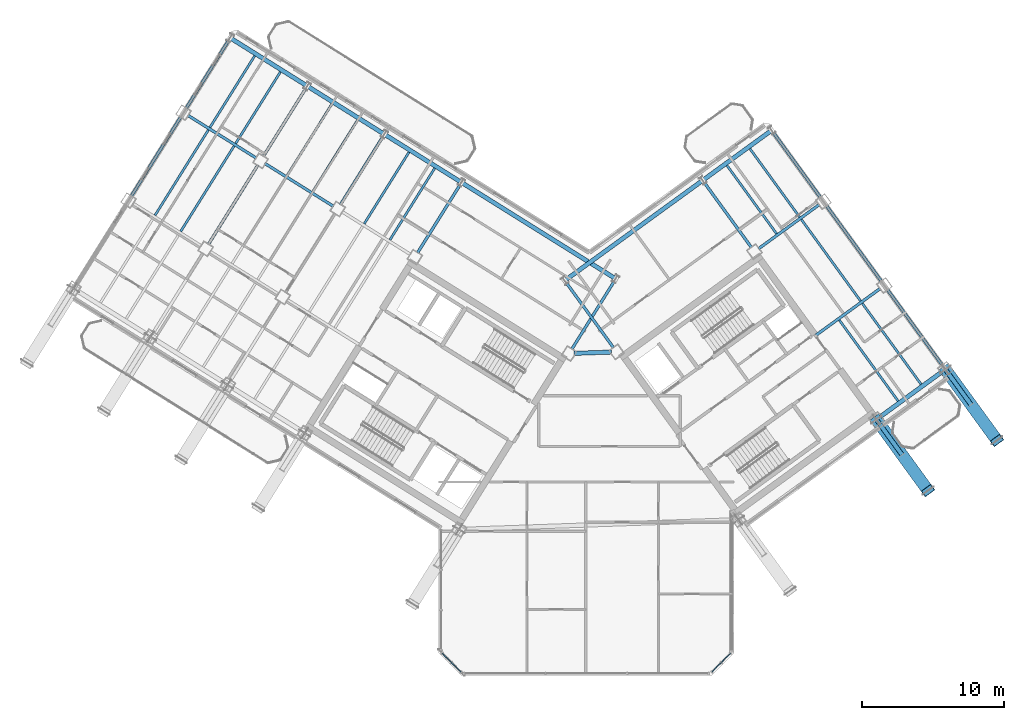
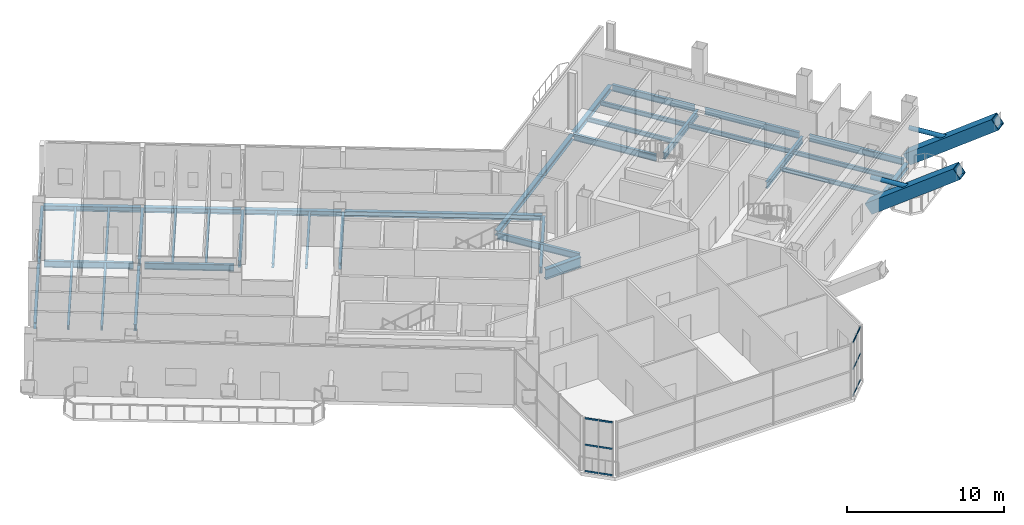
# One storey, part 12 of 34: 37 beams, 16 members, 2 elements without a shape of their own.
"""IFC4 building model written with IfcOpenShell, lengths in metres."""

from ifc_helpers import new_model, si_unit, direction, frame, origin, origin_2d, place, context, subcontext, project, spatial, hollow_rectangle, hollow_circle, i_section, extrude, source, transform, mapped, material, material_profile, profile_set, type_object, element, aggregate, save


model = new_model("IFC4")

# Units and contexts
model_context = context("Model", 3, precision=1e-05, world=origin(), true_north=direction((0.0, 1.0)))
body_context = subcontext(model_context, "Body", "Model", "MODEL_VIEW")
ifc_project = project(units=[si_unit("LENGTHUNIT", "METRE"), si_unit("AREAUNIT", "SQUARE_METRE"), si_unit("VOLUMEUNIT", "CUBIC_METRE"), si_unit("PLANEANGLEUNIT", "RADIAN"), si_unit("MASSUNIT", "GRAM", prefix="KILO")], contexts=[model_context])

# Site, building, storey
site_placement = place(None, origin())
site = spatial("IfcSite", under=ifc_project, at=site_placement, CompositionType="ELEMENT")
building_placement = place(site_placement, origin())
building = spatial("IfcBuilding", under=site, at=building_placement, Name="Tlacorven Tower", CompositionType="ELEMENT")
storey_placement = place(building_placement, frame((0.0, 0.0, 229.199951171875)))
storey = spatial("IfcBuildingStorey", under=building, at=storey_placement, Name="L58", CompositionType="ELEMENT", Elevation=229.199951171875)

# Beam
ifc_material_1 = material(Name="Steel S355J2", Category="steel")
ifc_material_profile_1 = material_profile(ifc_material_1, i_section(OverallWidth=0.300048828125, OverallDepth=0.800048828125, WebThickness=0.017578125, FlangeThickness=0.032958984375, at=origin_2d()), Name="HEB 800")
ifc_profile_set_1 = profile_set([ifc_material_profile_1], Name="Steel S355J2")
beam_type_1 = type_object("IfcBeamType", Name="BM-POD-800", PredefinedType="BEAM", material=ifc_profile_set_1)
shared_shape_1 = source(origin(), body_context, "Body", "SweptSolid", [
    extrude(i_section(OverallWidth=0.300048828125, OverallDepth=0.800048828125, WebThickness=0.017578125, FlangeThickness=0.032958984375, at=origin_2d()), origin(), (0.0, 0.0, 1.0), 2.642822265625),
])
beam_1_placement = place(storey_placement, frame((41.1328125, 24.480712890625, -0.64990234375), z_axis=(0.999393314814, 0.034828182629, 0.0), x_axis=(-0.034828182629, 0.999393314814, 0.0)))
element("IfcBeam", 1, at=beam_1_placement, inside=storey, type_object=beam_type_1, Name="L58 Knuckle Link Girder 1", PredefinedType="BEAM", context=body_context, shape_type="MappedRepresentation", body=[
    mapped(shared_shape_1, transform((0.0, 0.0, 0.0), scale=1.0)),
])

# Members
ifc_material_2 = material(Name="Steel S460M", Category="steel")
ifc_material_profile_2 = material_profile(ifc_material_2, hollow_rectangle(XDim=0.85009765625, YDim=0.85009765625, WallThickness=0.0400390625, at=origin_2d()), Name="BOX 850X850X40")
ifc_profile_set_2 = profile_set([ifc_material_profile_2], Name="Steel S460M")
member_type_1 = type_object("IfcMemberType", Name="MB-RAK-EXT", PredefinedType="STRUT", material=ifc_profile_set_2)
shared_shape_2 = source(origin(), body_context, "Body", "SweptSolid", [
    extrude(hollow_rectangle(XDim=0.85009765625, YDim=0.85009765625, WallThickness=0.0400390625, at=origin_2d()), origin(), (0.0, 0.0, 1.0), 7.62109375),
])
member_1_placement = place(storey_placement, frame((62.423095703125, 19.813720703125, 0.01171875), z_axis=(0.475691676108, -0.654736782025, 0.587398651297), x_axis=(0.809018428472, 0.587783278422, 0.0)))
element("IfcMember", 2, at=member_1_placement, inside=storey, type_object=member_type_1, Name="L58 Block-Shift Raking Transfer Strut E3", PredefinedType="STRUT", context=body_context, shape_type="MappedRepresentation", body=[
    mapped(shared_shape_2, transform((0.0, 0.0, 0.0), scale=1.0)),
])
ifc_material_profile_3 = material_profile(ifc_material_2, hollow_circle(Radius=0.161865234375, WallThickness=0.01611328125, at=origin_2d()), Name="CHS 323.9X16")
ifc_profile_set_3 = profile_set([ifc_material_profile_3], Name="Steel S460M")
member_type_2 = type_object("IfcMemberType", Name="MB-SHF-BRC", PredefinedType="BRACE", material=ifc_profile_set_3)
shared_shape_3 = source(origin(), body_context, "Body", "SweptSolid", [
    extrude(hollow_circle(Radius=0.161865234375, WallThickness=0.01611328125, at=origin_2d()), origin(), (0.0, 0.0, 1.0), 3.06005859375),
])
for number, where, z_axis, x_axis, name in (
    (3, (62.42529296875, 19.810546875, 2.25), (0.587777877013, -0.809022352778, 0.0), (0.809022352778, 0.587777877013, 0.0), "L58 Raking Strut Stabilising Web Brace E3"),
    (4, (67.279541015625, 23.33740234375, 2.25), (0.587777877013, -0.809022352778, 0.0), (0.809022352778, 0.587777877013, 0.0), "L58 Raking Strut Stabilising Web Brace E4"),
):
    element("IfcMember", number, at=place(storey_placement, frame(where, z_axis=z_axis, x_axis=x_axis)), inside=storey, type_object=member_type_2, Name=name, PredefinedType="BRACE", context=body_context, shape_type="MappedRepresentation", body=[
        mapped(shared_shape_3, transform((0.0, 0.0, 0.0), scale=1.0)),
    ])
shared_shape_4 = source(origin(), body_context, "Body", "SweptSolid", [
    extrude(hollow_rectangle(XDim=0.85009765625, YDim=0.85009765625, WallThickness=0.0400390625, at=origin_2d()), origin(), (0.0, 0.0, 1.0), 7.620849609375),
])
member_2_placement = place(storey_placement, frame((67.27734375, 23.34033203125, 0.01171875), z_axis=(0.475701653652, -0.654718479069, 0.587410971875), x_axis=(0.809004751961, 0.587802102161, 0.0)))
element("IfcMember", 5, at=member_2_placement, inside=storey, type_object=member_type_1, Name="L58 Block-Shift Raking Transfer Strut E4", PredefinedType="STRUT", context=body_context, shape_type="MappedRepresentation", body=[
    mapped(shared_shape_4, transform((0.0, 0.0, 0.0), scale=1.0)),
])

# Beams
ifc_material_profile_4 = material_profile(ifc_material_1, i_section(OverallWidth=0.199951171875, OverallDepth=0.5, WebThickness=0.01025390625, FlangeThickness=0.01611328125, at=origin_2d()), Name="IPE 500")
ifc_profile_set_4 = profile_set([ifc_material_profile_4], Name="Steel S355J2")
beam_type_2 = type_object("IfcBeamType", Name="BM-TWR-500", PredefinedType="BEAM", material=ifc_profile_set_4)
shared_shape_5 = source(origin(), body_context, "Body", "SweptSolid", [
    extrude(i_section(OverallWidth=0.199951171875, OverallDepth=0.5, WebThickness=0.01025390625, FlangeThickness=0.01611328125, at=origin_2d()), origin(), (0.0, 0.0, 1.0), 5.7001953125),
])
for number, where, z_axis, x_axis, name in (
    (6, (24.20361328125, 34.828369140625, -0.5), (-0.848056048787, 0.529906537151, 0.0), (-0.529906537151, -0.848056048787, 0.0), "L58 beam BM-L58-WL2-4"),
    (7, (18.776123046875, 38.2197265625, -0.5), (-0.848056048787, 0.529906537151, 0.0), (-0.529906537151, -0.848056048787, 0.0), "L58 beam BM-L58-WL2-5"),
):
    element("IfcBeam", number, at=place(storey_placement, frame(where, z_axis=z_axis, x_axis=x_axis)), inside=storey, type_object=beam_type_2, Name=name, PredefinedType="BEAM", context=body_context, shape_type="MappedRepresentation", body=[
        mapped(shared_shape_5, transform((0.0, 0.0, 0.0), scale=1.0)),
    ])
shared_shape_6 = source(origin(), body_context, "Body", "SweptSolid", [
    extrude(i_section(OverallWidth=0.199951171875, OverallDepth=0.5, WebThickness=0.01025390625, FlangeThickness=0.01611328125, at=origin_2d()), origin(), (0.0, 0.0, 1.0), 5.75),
])
for number, where, z_axis, x_axis, name in (
    (8, (44.015380859375, 29.6416015625, -0.5), (-0.529884439831, -0.848069855864, 0.0), (0.848069855864, -0.529884439831, 0.0), "L58 beam BM-L58-WT1-1"),
    (9, (33.160400390625, 36.424560546875, -0.5), (-0.529884439831, -0.848069855864, 0.0), (0.848069855864, -0.529884439831, 0.0), "L58 beam BM-L58-WT3-1"),
    (10, (27.73291015625, 39.81591796875, -0.5), (-0.529934056882, -0.848038852504, 0.0), (0.848038852504, -0.529934056882, 0.0), "L58 beam BM-L58-WT4-1"),
    (11, (16.8779296875, 46.598876953125, -0.5), (-0.529934056882, -0.848038852504, 0.0), (0.848038852504, -0.529934056882, 0.0), "L58 beam BM-L58-WT6-1"),
    (12, (43.91796875, 24.8681640625, -0.5), (-0.587770208527, 0.809027924097, 0.0), (-0.809027924097, -0.587770208527, 0.0), "L58 beam BM-L58-ET1-2"),
    (13, (53.626220703125, 31.921630859375, -0.5), (-0.587770208527, 0.809027924097, 0.0), (-0.809027924097, -0.587770208527, 0.0), "L58 beam BM-L58-ET3-2"),
    (14, (58.480224609375, 35.4482421875, -0.5), (-0.587770208527, 0.809027924097, 0.0), (-0.809027924097, -0.587770208527, 0.0), "L58 beam BM-L58-ET4-3"),
):
    element("IfcBeam", number, at=place(storey_placement, frame(where, z_axis=z_axis, x_axis=x_axis)), inside=storey, type_object=beam_type_2, Name=name, PredefinedType="BEAM", context=body_context, shape_type="MappedRepresentation", body=[
        mapped(shared_shape_6, transform((0.0, 0.0, 0.0), scale=1.0)),
    ])
shared_shape_7 = source(origin(), body_context, "Body", "SweptSolid", [
    extrude(i_section(OverallWidth=0.199951171875, OverallDepth=0.5, WebThickness=0.01025390625, FlangeThickness=0.01611328125, at=origin_2d()), origin(), (0.0, 0.0, 1.0), 6.599853515625),
])
beam_2_placement = place(storey_placement, frame((13.4599609375, 41.12890625, -0.5), z_axis=(-0.529942412256, -0.848033631227, 0.0), x_axis=(0.848033631227, -0.529942412256, 0.0)))
element("IfcBeam", 15, at=beam_2_placement, inside=storey, type_object=beam_type_2, Name="L58 beam BM-L58-WT6-2", PredefinedType="BEAM", context=body_context, shape_type="MappedRepresentation", body=[
    mapped(shared_shape_7, transform((0.0, 0.0, 0.0), scale=1.0)),
])
shared_shape_8 = source(origin(), body_context, "Body", "SweptSolid", [
    extrude(i_section(OverallWidth=0.199951171875, OverallDepth=0.5, WebThickness=0.01025390625, FlangeThickness=0.01611328125, at=origin_2d()), origin(), (0.0, 0.0, 1.0), 6.60009765625),
])
for number, where, z_axis, x_axis, name in (
    (16, (18.887451171875, 37.737548828125, -0.5), (-0.529925788294, -0.848044019436, 0.0), (0.848044019436, -0.529925788294, 0.0), "L58 beam BM-L58-WT5-2"),
    (17, (67.06201171875, 23.63671875, -0.5), (-0.587780128583, 0.809020716943, 0.0), (-0.809020716943, -0.587780128583, 0.0), "L58 beam BM-L58-ET4-1"),
    (18, (62.771240234375, 29.54248046875, -0.5), (-0.587780128583, 0.809020716943, 0.0), (-0.809020716943, -0.587780128583, 0.0), "L58 beam BM-L58-ET4-2"),
):
    element("IfcBeam", number, at=place(storey_placement, frame(where, z_axis=z_axis, x_axis=x_axis)), inside=storey, type_object=beam_type_2, Name=name, PredefinedType="BEAM", context=body_context, shape_type="MappedRepresentation", body=[
        mapped(shared_shape_8, transform((0.0, 0.0, 0.0), scale=1.0)),
    ])
shared_shape_9 = source(origin(), body_context, "Body", "SweptSolid", [
    extrude(i_section(OverallWidth=0.199951171875, OverallDepth=0.5, WebThickness=0.01025390625, FlangeThickness=0.01611328125, at=origin_2d()), origin(), (0.0, 0.0, 1.0), 5.750244140625),
])
beam_3_placement = place(storey_placement, frame((22.305419921875, 43.20751953125, -0.5), z_axis=(-0.529914976044, -0.848050775699, 0.0), x_axis=(0.848050775699, -0.529914976044, 0.0)))
element("IfcBeam", 19, at=beam_3_placement, inside=storey, type_object=beam_type_2, Name="L58 beam BM-L58-WT5-1", PredefinedType="BEAM", context=body_context, shape_type="MappedRepresentation", body=[
    mapped(shared_shape_9, transform((0.0, 0.0, 0.0), scale=1.0)),
])
shared_shape_10 = source(origin(), body_context, "Body", "SweptSolid", [
    extrude(i_section(OverallWidth=0.199951171875, OverallDepth=0.5, WebThickness=0.01025390625, FlangeThickness=0.01611328125, at=origin_2d()), origin(), (0.0, 0.0, 1.0), 5.300048828125),
])
beam_4_placement = place(storey_placement, frame((54.114990234375, 31.84423828125, -0.5), z_axis=(0.809022830186, 0.587777219904, 0.0), x_axis=(-0.587777219904, 0.809022830186, 0.0)))
element("IfcBeam", 20, at=beam_4_placement, inside=storey, type_object=beam_type_2, Name="L58 beam BM-L58-EL3-3", PredefinedType="BEAM", context=body_context, shape_type="MappedRepresentation", body=[
    mapped(shared_shape_10, transform((0.0, 0.0, 0.0), scale=1.0)),
])
shared_shape_11 = source(origin(), body_context, "Body", "SweptSolid", [
    extrude(i_section(OverallWidth=0.199951171875, OverallDepth=0.5, WebThickness=0.01025390625, FlangeThickness=0.01611328125, at=origin_2d()), origin(), (0.0, 0.0, 1.0), 5.6103515625),
])
beam_5_placement = place(storey_placement, frame((58.155029296875, 25.756103515625, -0.5), z_axis=(0.809020142627, 0.587780919071, 0.0), x_axis=(-0.587780919071, 0.809020142627, 0.0)))
element("IfcBeam", 21, at=beam_5_placement, inside=storey, type_object=beam_type_2, Name="L58 beam BM-L58-EL2-3", PredefinedType="BEAM", context=body_context, shape_type="MappedRepresentation", body=[
    mapped(shared_shape_11, transform((0.0, 0.0, 0.0), scale=1.0)),
])
ifc_material_profile_5 = material_profile(ifc_material_1, i_section(OverallWidth=0.159912109375, OverallDepth=0.330078125, WebThickness=0.007568359375, FlangeThickness=0.011474609375, at=origin_2d()), Name="IPE 330")
ifc_profile_set_5 = profile_set([ifc_material_profile_5], Name="Steel S355J2")
beam_type_3 = type_object("IfcBeamType", Name="BM-JST-330", PredefinedType="JOIST", material=ifc_profile_set_5)
shared_shape_12 = source(origin(), body_context, "Body", "SweptSolid", [
    extrude(i_section(OverallWidth=0.159912109375, OverallDepth=0.330078125, WebThickness=0.007568359375, FlangeThickness=0.011474609375, at=origin_2d()), origin(), (0.0, 0.0, 1.0), 7.0400390625),
])
beam_6_placement = place(storey_placement, frame((63.9404296875, 21.127685546875, -0.4150390625), z_axis=(-0.587773661987, 0.809025415098, 0.0), x_axis=(-0.809025415098, -0.587773661987, 0.0)))
element("IfcBeam", 22, at=beam_6_placement, inside=storey, type_object=beam_type_3, Name="L58 beam BM-L58-EJ3-1-1", PredefinedType="JOIST", context=body_context, shape_type="MappedRepresentation", body=[
    mapped(shared_shape_12, transform((0.0, 0.0, 0.0), scale=1.0)),
])
shared_shape_13 = source(origin(), body_context, "Body", "SweptSolid", [
    extrude(i_section(OverallWidth=0.159912109375, OverallDepth=0.330078125, WebThickness=0.007568359375, FlangeThickness=0.011474609375, at=origin_2d()), origin(), (0.0, 0.0, 1.0), 5.940185546875),
])
for number, where, z_axis, x_axis, name in (
    (23, (29.512939453125, 38.638916015625, -0.4150390625), (-0.529902882565, -0.848058332339, 0.0), (0.848058332339, -0.529902882565, 0.0), "L58 beam BM-L58-WJ3-1-2"),
    (24, (25.894775390625, 40.899658203125, -0.4150390625), (-0.529950911506, -0.848028319924, 0.0), (0.848028319924, -0.529950911506, 0.0), "L58 beam BM-L58-WJ4-1-1"),
    (25, (18.657958984375, 45.421875, -0.4150390625), (-0.529902882565, -0.848058332339, 0.0), (0.848058332339, -0.529902882565, 0.0), "L58 beam BM-L58-WJ5-1-2"),
    (26, (55.38818359375, 32.89892578125, -0.4150390625), (-0.587778174144, 0.809022136903, 0.0), (-0.809022136903, -0.587778174144, 0.0), "L58 beam BM-L58-EJ3-3-1"),
    (27, (57.00634765625, 34.074462890625, -0.4150390625), (-0.587778174144, 0.809022136903, 0.0), (-0.809022136903, -0.587778174144, 0.0), "L58 beam BM-L58-EJ3-3-2"),
):
    element("IfcBeam", number, at=place(storey_placement, frame(where, z_axis=z_axis, x_axis=x_axis)), inside=storey, type_object=beam_type_3, Name=name, PredefinedType="JOIST", context=body_context, shape_type="MappedRepresentation", body=[
        mapped(shared_shape_13, transform((0.0, 0.0, 0.0), scale=1.0)),
    ])
shared_shape_14 = source(origin(), body_context, "Body", "SweptSolid", [
    extrude(i_section(OverallWidth=0.159912109375, OverallDepth=0.330078125, WebThickness=0.007568359375, FlangeThickness=0.011474609375, at=origin_2d()), origin(), (0.0, 0.0, 1.0), 7.090087890625),
])
for number, where, z_axis, x_axis, name in (
    (28, (17.208251953125, 39.07568359375, -0.4150390625), (-0.529937035031, -0.848036991471, 0.0), (0.848036991471, -0.529937035031, 0.0), "L58 beam BM-L58-WJ5-2-1"),
    (29, (15.39892578125, 40.206298828125, -0.4150390625), (-0.529912270669, -0.84805246618, 0.0), (0.84805246618, -0.529912270669, 0.0), "L58 beam BM-L58-WJ5-2-2"),
    (30, (61.297119140625, 28.168701171875, -0.4150390625), (-0.587782622309, 0.809018905164, 0.0), (-0.809018905164, -0.587782622309, 0.0), "L58 beam BM-L58-EJ3-2-2"),
):
    element("IfcBeam", number, at=place(storey_placement, frame(where, z_axis=z_axis, x_axis=x_axis)), inside=storey, type_object=beam_type_3, Name=name, PredefinedType="JOIST", context=body_context, shape_type="MappedRepresentation", body=[
        mapped(shared_shape_14, transform((0.0, 0.0, 0.0), scale=1.0)),
    ])
shared_shape_15 = source(origin(), body_context, "Body", "SweptSolid", [
    extrude(i_section(OverallWidth=0.159912109375, OverallDepth=0.330078125, WebThickness=0.007568359375, FlangeThickness=0.011474609375, at=origin_2d()), origin(), (0.0, 0.0, 1.0), 5.93994140625),
])
for number, where, z_axis, x_axis, name in (
    (31, (31.322265625, 37.50830078125, -0.4150390625), (-0.529921352973, -0.848046790963, 0.0), (0.848046790963, -0.529921352973, 0.0), "L58 beam BM-L58-WJ3-1-1"),
    (32, (24.08544921875, 42.0302734375, -0.4150390625), (-0.529921352973, -0.848046790963, 0.0), (0.848046790963, -0.529921352973, 0.0), "L58 beam BM-L58-WJ4-1-2"),
    (33, (20.467041015625, 44.291259765625, -0.4150390625), (-0.529921352973, -0.848046790963, 0.0), (0.848046790963, -0.529921352973, 0.0), "L58 beam BM-L58-WJ5-1-1"),
):
    element("IfcBeam", number, at=place(storey_placement, frame(where, z_axis=z_axis, x_axis=x_axis)), inside=storey, type_object=beam_type_3, Name=name, PredefinedType="JOIST", context=body_context, shape_type="MappedRepresentation", body=[
        mapped(shared_shape_15, transform((0.0, 0.0, 0.0), scale=1.0)),
    ])
shared_shape_16 = source(origin(), body_context, "Body", "SweptSolid", [
    extrude(i_section(OverallWidth=0.159912109375, OverallDepth=0.330078125, WebThickness=0.007568359375, FlangeThickness=0.011474609375, at=origin_2d()), origin(), (0.0, 0.0, 1.0), 7.039794921875),
])
beam_7_placement = place(storey_placement, frame((65.55859375, 22.303466796875, -0.4150390625), z_axis=(-0.587790152999, 0.809013433781, 0.0), x_axis=(-0.809013433781, -0.587790152999, 0.0)))
element("IfcBeam", 34, at=beam_7_placement, inside=storey, type_object=beam_type_3, Name="L58 beam BM-L58-EJ3-1-2", PredefinedType="JOIST", context=body_context, shape_type="MappedRepresentation", body=[
    mapped(shared_shape_16, transform((0.0, 0.0, 0.0), scale=1.0)),
])
ifc_material_profile_6 = material_profile(ifc_material_1, i_section(OverallWidth=0.300048828125, OverallDepth=0.389892578125, WebThickness=0.010986328125, FlangeThickness=0.01904296875, at=origin_2d()), Name="HEA 400")
ifc_profile_set_6 = profile_set([ifc_material_profile_6], Name="Steel S355J2")
beam_type_4 = type_object("IfcBeamType", Name="BM-SPN-400", PredefinedType="SPANDREL", material=ifc_profile_set_6)
shared_shape_17 = source(origin(), body_context, "Body", "SweptSolid", [
    extrude(i_section(OverallWidth=0.300048828125, OverallDepth=0.389892578125, WebThickness=0.010986328125, FlangeThickness=0.01904296875, at=origin_2d()), origin(), (0.0, 0.0, 1.0), 12.599853515625),
])
beam_8_placement = place(storey_placement, frame((43.983642578125, 29.779296875, -0.445068359375), z_axis=(-0.848045108756, 0.529924045043, 0.0), x_axis=(-0.529924045043, -0.848045108756, 0.0)))
element("IfcBeam", 35, at=beam_8_placement, inside=storey, type_object=beam_type_4, Name="L58 beam BM-L58-WL1-1", PredefinedType="SPANDREL", context=body_context, shape_type="MappedRepresentation", body=[
    mapped(shared_shape_17, transform((0.0, 0.0, 0.0), scale=1.0)),
])
shared_shape_18 = source(origin(), body_context, "Body", "SweptSolid", [
    extrude(i_section(OverallWidth=0.300048828125, OverallDepth=0.389892578125, WebThickness=0.010986328125, FlangeThickness=0.01904296875, at=origin_2d()), origin(), (0.0, 0.0, 1.0), 6.199951171875),
])
beam_9_placement = place(storey_placement, frame((33.128662109375, 36.562255859375, -0.445068359375), z_axis=(-0.848051394107, 0.529913986372, 0.0), x_axis=(-0.529913986372, -0.848051394107, 0.0)))
element("IfcBeam", 36, at=beam_9_placement, inside=storey, type_object=beam_type_4, Name="L58 beam BM-L58-WL1-3", PredefinedType="SPANDREL", context=body_context, shape_type="MappedRepresentation", body=[
    mapped(shared_shape_18, transform((0.0, 0.0, 0.0), scale=1.0)),
])
shared_shape_19 = source(origin(), body_context, "Body", "SweptSolid", [
    extrude(i_section(OverallWidth=0.300048828125, OverallDepth=0.389892578125, WebThickness=0.010986328125, FlangeThickness=0.01904296875, at=origin_2d()), origin(), (0.0, 0.0, 1.0), 6.2001953125),
])
for number, where, z_axis, x_axis, name in (
    (37, (27.701171875, 39.95361328125, -0.445068359375), (-0.84804475579, 0.5299246099, 0.0), (-0.5299246099, -0.84804475579, 0.0), "L58 beam BM-L58-WL1-4"),
    (38, (22.273681640625, 43.34521484375, -0.445068359375), (-0.848062451332, 0.529896290457, 0.0), (-0.529896290457, -0.848062451332, 0.0), "L58 beam BM-L58-WL1-5"),
):
    element("IfcBeam", number, at=place(storey_placement, frame(where, z_axis=z_axis, x_axis=x_axis)), inside=storey, type_object=beam_type_4, Name=name, PredefinedType="SPANDREL", context=body_context, shape_type="MappedRepresentation", body=[
        mapped(shared_shape_19, transform((0.0, 0.0, 0.0), scale=1.0)),
    ])
shared_shape_20 = source(origin(), body_context, "Body", "SweptSolid", [
    extrude(i_section(OverallWidth=0.300048828125, OverallDepth=0.389892578125, WebThickness=0.010986328125, FlangeThickness=0.01904296875, at=origin_2d()), origin(), (0.0, 0.0, 1.0), 5.300048828125),
])
beam_10_placement = place(storey_placement, frame((62.69677734375, 20.032470703125, -0.445068359375), z_axis=(0.809022830186, 0.587777219904, 0.0), x_axis=(-0.587777219904, 0.809022830186, 0.0)))
element("IfcBeam", 39, at=beam_10_placement, inside=storey, type_object=beam_type_4, Name="L58 beam BM-L58-EL1-3", PredefinedType="SPANDREL", context=body_context, shape_type="MappedRepresentation", body=[
    mapped(shared_shape_20, transform((0.0, 0.0, 0.0), scale=1.0)),
])
shared_shape_21 = source(origin(), body_context, "Body", "SweptSolid", [
    extrude(i_section(OverallWidth=0.300048828125, OverallDepth=0.389892578125, WebThickness=0.010986328125, FlangeThickness=0.01904296875, at=origin_2d()), origin(), (0.0, 0.0, 1.0), 11.800048828125),
])
beam_11_placement = place(storey_placement, frame((40.560302734375, 29.65966796875, -0.445068359375), z_axis=(0.80900977213, 0.587795192732, 0.0), x_axis=(-0.587795192732, 0.80900977213, 0.0)))
element("IfcBeam", 40, at=beam_11_placement, inside=storey, type_object=beam_type_4, Name="L58 beam BM-L58-EL4-1", PredefinedType="SPANDREL", context=body_context, shape_type="MappedRepresentation", body=[
    mapped(shared_shape_21, transform((0.0, 0.0, 0.0), scale=1.0)),
])
shared_shape_22 = source(origin(), body_context, "Body", "SweptSolid", [
    extrude(i_section(OverallWidth=0.300048828125, OverallDepth=0.389892578125, WebThickness=0.010986328125, FlangeThickness=0.01904296875, at=origin_2d()), origin(), (0.0, 0.0, 1.0), 5.800048828125),
])
beam_12_placement = place(storey_placement, frame((50.2685546875, 36.713134765625, -0.445068359375), z_axis=(0.809019944521, 0.587781191743, 0.0), x_axis=(-0.587781191743, 0.809019944521, 0.0)))
element("IfcBeam", 41, at=beam_12_placement, inside=storey, type_object=beam_type_4, Name="L58 beam BM-L58-EL4-3", PredefinedType="SPANDREL", context=body_context, shape_type="MappedRepresentation", body=[
    mapped(shared_shape_22, transform((0.0, 0.0, 0.0), scale=1.0)),
])

# Curtain wall, members
ifc_material_3 = material(Name="Dark solar low-E double glazing in aluminium frame", Category="aluminium")
curtain_wall_type = type_object("IfcCurtainWallType", Name="CW-TWR-HIGH", PredefinedType="USERDEFINED", material=ifc_material_3)
curtain_wall_1_placement = place(storey_placement, origin())
curtain_wall_1 = element("IfcCurtainWall", 42, at=curtain_wall_1_placement, inside=storey, type_object=curtain_wall_type, Name="L58 CW-TWR-HIGH Curtain Wall 262", ObjectType="UNITISED CURTAIN WALL", PredefinedType="USERDEFINED")
ifc_material_4 = material(Name="Aluminium 6063-T6 anodised", Category="aluminium")
ifc_material_profile_7 = material_profile(ifc_material_4, hollow_rectangle(XDim=0.054931640625, YDim=0.1201171875, WallThickness=0.00341796875, at=origin_2d()), Name="ALU TRANSOM 55X120")
ifc_profile_set_7 = profile_set([ifc_material_profile_7], Name="Aluminium 6063-T6 anodised")
member_type_3 = type_object("IfcMemberType", Name="CWT-03", PredefinedType="USERDEFINED", material=ifc_profile_set_7)
shared_shape_23 = source(origin(), body_context, "Body", "SweptSolid", [
    extrude(hollow_rectangle(XDim=0.054931640625, YDim=0.1201171875, WallThickness=0.00341796875, at=origin_2d()), origin(), (0.0, 0.0, 1.0), 0.899169921875),
])
member_3_placement = place(storey_placement, frame((52.13525390625, 3.361572265625, 0.06005859375), z_axis=(-0.707106781187, -0.707106781187, 0.0), x_axis=(0.707106781187, -0.707106781187, 0.0)))
member_3 = element("IfcMember", 43, at=member_3_placement, type_object=member_type_3, Name="CW-L58-262 Transom 1", ObjectType="TRANSOM", PredefinedType="USERDEFINED", context=body_context, shape_type="MappedRepresentation", body=[
    mapped(shared_shape_23, transform((0.0, 0.0, 0.0), scale=1.0)),
])
member_4_placement = place(storey_placement, frame((52.13525390625, 3.361572265625, 2.110107421875), z_axis=(-0.707106781187, -0.707106781187, 0.0), x_axis=(0.707106781187, -0.707106781187, 0.0)))
member_4 = element("IfcMember", 44, at=member_4_placement, type_object=member_type_3, Name="CW-L58-262 Transom 2", ObjectType="TRANSOM", PredefinedType="USERDEFINED", context=body_context, shape_type="MappedRepresentation", body=[
    mapped(shared_shape_23, transform((0.0, 0.0, 0.0), scale=1.0)),
])
member_5_placement = place(storey_placement, frame((52.13525390625, 3.361572265625, 4.16015625), z_axis=(-0.707106781187, -0.707106781187, 0.0), x_axis=(0.707106781187, -0.707106781187, 0.0)))
member_5 = element("IfcMember", 45, at=member_5_placement, type_object=member_type_3, Name="CW-L58-262 Transom 3", ObjectType="TRANSOM", PredefinedType="USERDEFINED", context=body_context, shape_type="MappedRepresentation", body=[
    mapped(shared_shape_23, transform((0.0, 0.0, 0.0), scale=1.0)),
])
member_6_placement = place(storey_placement, frame((51.47412109375, 2.700439453125, 0.06005859375), z_axis=(-0.707106781187, -0.707106781187, 0.0), x_axis=(0.707106781187, -0.707106781187, 0.0)))
member_6 = element("IfcMember", 46, at=member_6_placement, type_object=member_type_3, Name="CW-L58-262 Transom 4", ObjectType="TRANSOM", PredefinedType="USERDEFINED", context=body_context, shape_type="MappedRepresentation", body=[
    mapped(shared_shape_23, transform((0.0, 0.0, 0.0), scale=1.0)),
])
member_7_placement = place(storey_placement, frame((51.47412109375, 2.700439453125, 2.110107421875), z_axis=(-0.707106781187, -0.707106781187, 0.0), x_axis=(0.707106781187, -0.707106781187, 0.0)))
member_7 = element("IfcMember", 47, at=member_7_placement, type_object=member_type_3, Name="CW-L58-262 Transom 5", ObjectType="TRANSOM", PredefinedType="USERDEFINED", context=body_context, shape_type="MappedRepresentation", body=[
    mapped(shared_shape_23, transform((0.0, 0.0, 0.0), scale=1.0)),
])
member_8_placement = place(storey_placement, frame((51.47412109375, 2.700439453125, 4.16015625), z_axis=(-0.707106781187, -0.707106781187, 0.0), x_axis=(0.707106781187, -0.707106781187, 0.0)))
member_8 = element("IfcMember", 48, at=member_8_placement, type_object=member_type_3, Name="CW-L58-262 Transom 6", ObjectType="TRANSOM", PredefinedType="USERDEFINED", context=body_context, shape_type="MappedRepresentation", body=[
    mapped(shared_shape_23, transform((0.0, 0.0, 0.0), scale=1.0)),
])
aggregate(curtain_wall_1, [member_3, member_4, member_5, member_6, member_7, member_8])

curtain_wall_2_placement = place(storey_placement, origin())
curtain_wall_2 = element("IfcCurtainWall", 49, at=curtain_wall_2_placement, inside=storey, type_object=curtain_wall_type, Name="L58 CW-TWR-HIGH Curtain Wall 264", ObjectType="UNITISED CURTAIN WALL", PredefinedType="USERDEFINED")
member_9_placement = place(storey_placement, frame((33.16162109375, 2.064697265625, 0.06005859375), z_axis=(-0.707106781187, 0.707106781187, 0.0), x_axis=(-0.707106781187, -0.707106781187, 0.0)))
member_9 = element("IfcMember", 50, at=member_9_placement, type_object=member_type_3, Name="CW-L58-264 Transom 1", ObjectType="TRANSOM", PredefinedType="USERDEFINED", context=body_context, shape_type="MappedRepresentation", body=[
    mapped(shared_shape_23, transform((0.0, 0.0, 0.0), scale=1.0)),
])
member_10_placement = place(storey_placement, frame((33.16162109375, 2.064697265625, 2.110107421875), z_axis=(-0.707106781187, 0.707106781187, 0.0), x_axis=(-0.707106781187, -0.707106781187, 0.0)))
member_10 = element("IfcMember", 51, at=member_10_placement, type_object=member_type_3, Name="CW-L58-264 Transom 2", ObjectType="TRANSOM", PredefinedType="USERDEFINED", context=body_context, shape_type="MappedRepresentation", body=[
    mapped(shared_shape_23, transform((0.0, 0.0, 0.0), scale=1.0)),
])
member_11_placement = place(storey_placement, frame((33.16162109375, 2.064697265625, 4.16015625), z_axis=(-0.707106781187, 0.707106781187, 0.0), x_axis=(-0.707106781187, -0.707106781187, 0.0)))
member_11 = element("IfcMember", 52, at=member_11_placement, type_object=member_type_3, Name="CW-L58-264 Transom 3", ObjectType="TRANSOM", PredefinedType="USERDEFINED", context=body_context, shape_type="MappedRepresentation", body=[
    mapped(shared_shape_23, transform((0.0, 0.0, 0.0), scale=1.0)),
])
member_12_placement = place(storey_placement, frame((32.50048828125, 2.725830078125, 0.06005859375), z_axis=(-0.707106781187, 0.707106781187, 0.0), x_axis=(-0.707106781187, -0.707106781187, 0.0)))
member_12 = element("IfcMember", 53, at=member_12_placement, type_object=member_type_3, Name="CW-L58-264 Transom 4", ObjectType="TRANSOM", PredefinedType="USERDEFINED", context=body_context, shape_type="MappedRepresentation", body=[
    mapped(shared_shape_23, transform((0.0, 0.0, 0.0), scale=1.0)),
])
member_13_placement = place(storey_placement, frame((32.50048828125, 2.725830078125, 2.110107421875), z_axis=(-0.707106781187, 0.707106781187, 0.0), x_axis=(-0.707106781187, -0.707106781187, 0.0)))
member_13 = element("IfcMember", 54, at=member_13_placement, type_object=member_type_3, Name="CW-L58-264 Transom 5", ObjectType="TRANSOM", PredefinedType="USERDEFINED", context=body_context, shape_type="MappedRepresentation", body=[
    mapped(shared_shape_23, transform((0.0, 0.0, 0.0), scale=1.0)),
])
member_14_placement = place(storey_placement, frame((32.50048828125, 2.725830078125, 4.16015625), z_axis=(-0.707106781187, 0.707106781187, 0.0), x_axis=(-0.707106781187, -0.707106781187, 0.0)))
member_14 = element("IfcMember", 55, at=member_14_placement, type_object=member_type_3, Name="CW-L58-264 Transom 6", ObjectType="TRANSOM", PredefinedType="USERDEFINED", context=body_context, shape_type="MappedRepresentation", body=[
    mapped(shared_shape_23, transform((0.0, 0.0, 0.0), scale=1.0)),
])
aggregate(curtain_wall_2, [member_9, member_10, member_11, member_12, member_13, member_14])

save(model, "model.ifc")
